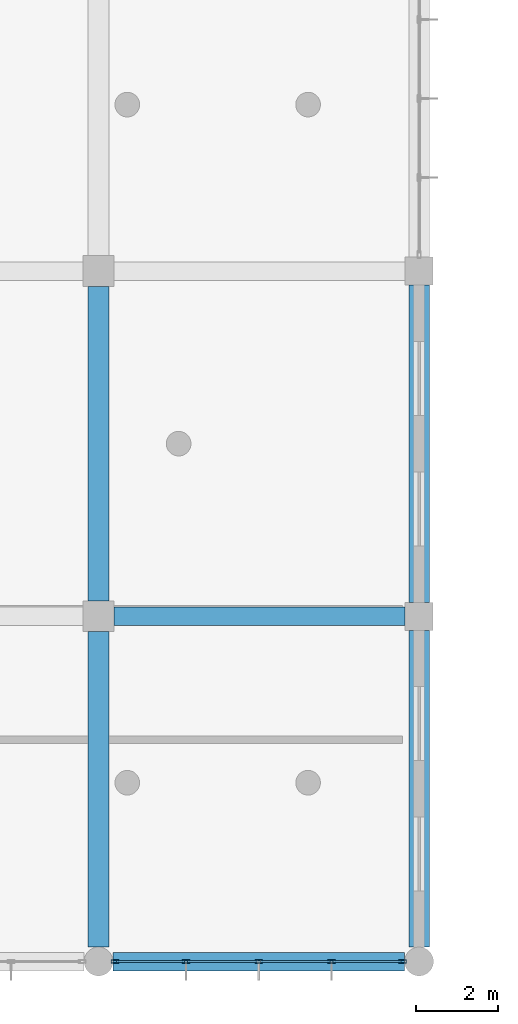
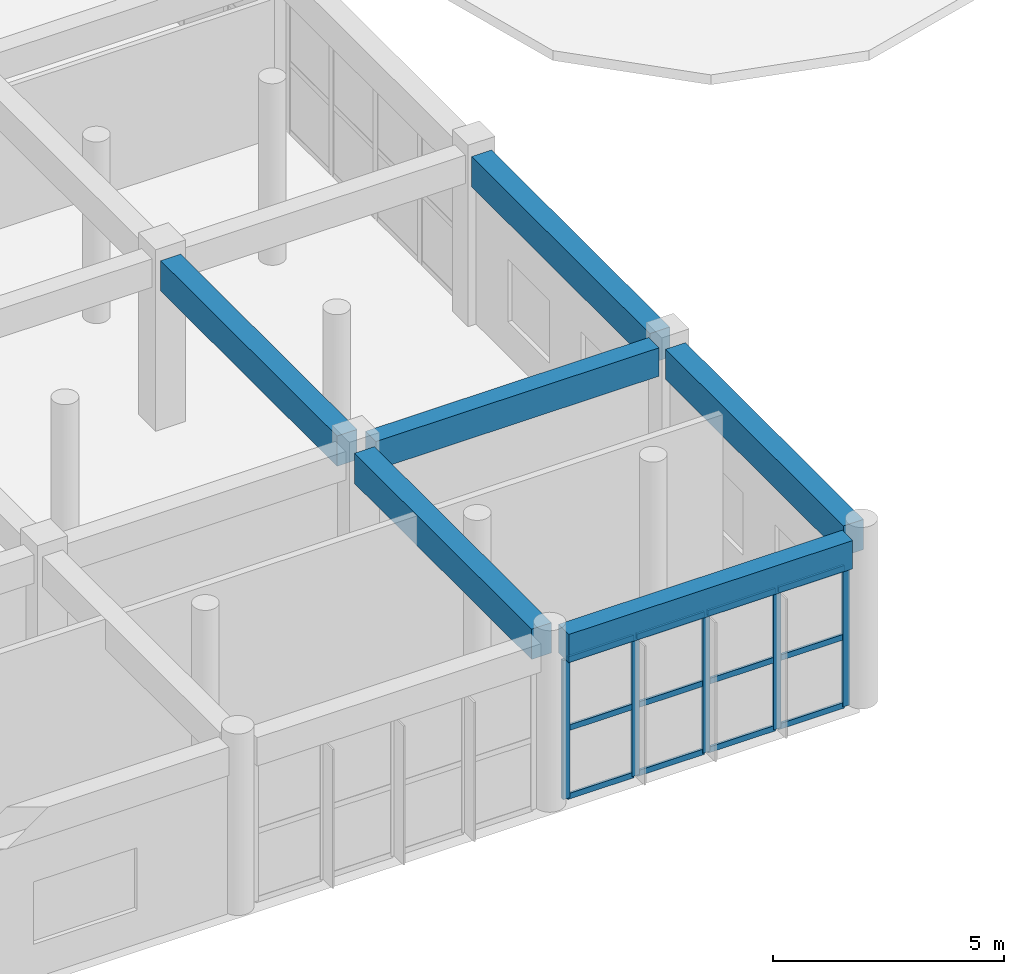
# One storey, part 87 of 175: 17 members, 6 beams, 1 element without a shape of its own.
"""IFC4 building model written with IfcOpenShell, lengths in metres."""

import ifcopenshell
import ifcopenshell.guid

model = None  # the IFC model being written
_history = None  # IfcOwnerHistory: only IFC2X3 demands one
_inside = {}  # id of a spatial element -> (the spatial element, [elements in it])
_under = {}  # id of a project, library or spatial element -> (it, [spatial elements below it])
_declared = {}  # id of a project -> (the project, [libraries it declares])
_typed = {}  # id of a type object -> (the type object, [elements of that type])
_made_of = {}  # id of a material, layer set ... -> (it, [elements and type objects made of it])


def new_model(schema):
    """Start an empty IFC model of exactly this schema.

    Asked for "IFC4X3", IfcOpenShell would pick the latest addendum, in which some entities
    have other attributes; the version numbers below select the first issue.
    IFC2X3 requires an IfcOwnerHistory on every rooted entity: one is made here for all.
    """
    global model, _history
    if schema == "IFC4X3":
        model = ifcopenshell.file(schema_version=(4, 3, 0, 0))
    else:
        model = ifcopenshell.file(schema=schema)
    _inside.clear()
    _under.clear()
    _declared.clear()
    _typed.clear()
    _made_of.clear()
    _history = None
    if model.schema == "IFC2X3":
        org = make("IfcOrganization", Name="unknown")
        user = make(
            "IfcPersonAndOrganization",
            ThePerson=make("IfcPerson", FamilyName="unknown"),
            TheOrganization=org,
        )
        app = make(
            "IfcApplication",
            ApplicationDeveloper=org,
            Version="unknown",
            ApplicationFullName="unknown",
            ApplicationIdentifier="unknown",
        )
        _history = make(
            "IfcOwnerHistory",
            OwningUser=user,
            OwningApplication=app,
            ChangeAction="ADDED",
            CreationDate=0,
        )
    return model


def make(cls, **values):
    """One entity of the class cls with the attributes given. An attribute that is None is left unset."""
    return model.create_entity(
        cls, **{name: value for name, value in values.items() if value is not None}
    )


def rooted(cls, **values):
    """An entity with a GlobalId (a new one), such as an element, a storey or a relation."""
    return make(cls, GlobalId=ifcopenshell.guid.new(), OwnerHistory=_history, **values)


def si_unit(unit_type, name, prefix=None):
    """IfcSIUnit, for example si_unit("LENGTHUNIT", "METRE", prefix="MILLI")."""
    return make("IfcSIUnit", UnitType=unit_type, Prefix=prefix, Name=name)


def assignment(units):
    """IfcUnitAssignment: the units of a project."""
    return None if units is None else make("IfcUnitAssignment", Units=units)


def point(xyz):
    """IfcCartesianPoint."""
    return None if xyz is None else make("IfcCartesianPoint", Coordinates=xyz)


def direction(xyz):
    """IfcDirection."""
    return None if xyz is None else make("IfcDirection", DirectionRatios=xyz)


def frame(location, z_axis=None, x_axis=None):
    """IfcAxis2Placement3D, a coordinate frame: its origin and axes. An axis left out is left unset."""
    return make(
        "IfcAxis2Placement3D",
        Location=point(location),
        Axis=direction(z_axis),
        RefDirection=direction(x_axis),
    )


def frame_2d(location, x_axis=None):
    """IfcAxis2Placement2D, a coordinate frame in the plane: its origin and x axis."""
    return make(
        "IfcAxis2Placement2D", Location=point(location), RefDirection=direction(x_axis)
    )


def origin():
    """The frame at (0, 0, 0) with its axes left unset."""
    return frame((0.0, 0.0, 0.0))


def origin_2d():
    """The frame at (0, 0) in the plane with its x axis left unset."""
    return frame_2d((0.0, 0.0))


def place(relative_to, where):
    """IfcLocalPlacement: puts the frame where relative to a parent placement (None: the world)."""
    return make(
        "IfcLocalPlacement", PlacementRelTo=relative_to, RelativePlacement=where
    )


def context(
    kind, dimensions, precision=None, world=None, true_north=None, identifier=None
):
    """IfcGeometricRepresentationContext, for example the 3D "Model" context."""
    return make(
        "IfcGeometricRepresentationContext",
        ContextIdentifier=identifier,
        ContextType=kind,
        CoordinateSpaceDimension=dimensions,
        Precision=precision,
        WorldCoordinateSystem=world,
        TrueNorth=true_north,
    )


def subcontext(parent, identifier, kind, view, scale=None):
    """IfcGeometricRepresentationSubContext, for example "Body" below "Model"."""
    return make(
        "IfcGeometricRepresentationSubContext",
        ContextIdentifier=identifier,
        ContextType=kind,
        ParentContext=parent,
        TargetScale=scale,
        TargetView=view,
    )


def project(units=None, contexts=None):
    """IfcProject with its units and contexts."""
    return rooted(
        "IfcProject",
        Name="project",
        RepresentationContexts=contexts,
        UnitsInContext=assignment(units),
    )


def spatial(cls, under=None, at=None, **own):
    """A site, building, storey or space (cls), placed at a placement, below another one or the project."""
    s = rooted(cls, ObjectPlacement=at, **own)
    if under is not None:
        _under.setdefault(under.id(), (under, []))[1].append(s)
    return s


def profile(cls, at=None, kind="AREA", **sizes):
    """A parametric profile (cls). Its sizes go by their IFC names, for example OverallWidth=200.0."""
    return make(cls, ProfileType=kind, Position=at, **sizes)


def rectangle(**sizes):
    """IfcRectangleProfileDef."""
    return profile("IfcRectangleProfileDef", **sizes)


def hollow_rectangle(**sizes):
    """IfcRectangleHollowProfileDef."""
    return profile("IfcRectangleHollowProfileDef", **sizes)


def extrude(swept, where, along, depth):
    """IfcExtrudedAreaSolid: the profile swept, set in the frame where, extruded along a direction by depth."""
    return make(
        "IfcExtrudedAreaSolid",
        SweptArea=swept,
        Position=where,
        ExtrudedDirection=direction(along),
        Depth=depth,
    )


def shape(context_of_items, identifier, shape_type, items):
    """IfcShapeRepresentation: the items that make up one representation, for example the "Body"."""
    return make(
        "IfcShapeRepresentation",
        ContextOfItems=context_of_items,
        RepresentationIdentifier=identifier,
        RepresentationType=shape_type,
        Items=items,
    )


def material(Name=None, Category=None):
    """IfcMaterial."""
    return make("IfcMaterial", Name=Name, Category=Category)


def layer(
    of_material, thickness, ventilated=None, Name=None, Category=None, Priority=None
):
    """IfcMaterialLayer: one layer of a wall or slab, of a material (None: an air gap)."""
    return make(
        "IfcMaterialLayer",
        Material=of_material,
        LayerThickness=thickness,
        IsVentilated=ventilated,
        Name=Name,
        Category=Category,
        Priority=Priority,
    )


def layer_set(layers, Name=None):
    """IfcMaterialLayerSet."""
    return make("IfcMaterialLayerSet", MaterialLayers=layers, LayerSetName=Name)


def material_profile(
    of_material, cross_section, Name=None, Category=None, Priority=None
):
    """IfcMaterialProfile: a cross section and its material."""
    return make(
        "IfcMaterialProfile",
        Name=Name,
        Material=of_material,
        Profile=cross_section,
        Priority=Priority,
        Category=Category,
    )


def profile_set(profiles, Name=None, composite=None):
    """IfcMaterialProfileSet."""
    return make(
        "IfcMaterialProfileSet",
        Name=Name,
        MaterialProfiles=profiles,
        CompositeProfile=composite,
    )


def made_of(thing, what):
    """Note that an element or type object is made of a material, layer set ...; save() writes the relation."""
    if what is not None:
        _made_of.setdefault(what.id(), (what, []))[1].append(thing)
    return thing


def type_object(cls, material=None, **own):
    """A type object (cls), such as IfcWallType, which elements share."""
    return made_of(rooted(cls, **own), material)


def element(
    cls,
    number,
    at=None,
    inside=None,
    cuts=None,
    type_object=None,
    material=None,
    context=None,
    identifier="Body",
    shape_type=None,
    held_by="IfcProductDefinitionShape",
    body=None,
    shapes=None,
    **own,
):
    """One element of the class cls, such as IfcWall. Its Tag is "e" and its number.

    at: its placement. inside: the storey or other place that contains it. cuts: it is an
    opening in that element (IfcRelVoidsElement). A single representation is given by context,
    identifier, shape_type and body (its items); several are given by shapes. held_by: the class
    of the entity that holds the representations. save() writes the other relations.
    """
    e = rooted(cls, Tag="e%d" % number, ObjectPlacement=at, **own)
    if body is not None:
        shapes = [shape(context, identifier, shape_type, body)]
    if shapes is not None:
        e.Representation = make(held_by, Representations=shapes)
    if inside is not None:
        _inside.setdefault(inside.id(), (inside, []))[1].append(e)
    if cuts is not None:
        rooted(
            "IfcRelVoidsElement", RelatingBuildingElement=cuts, RelatedOpeningElement=e
        )
    if type_object is not None:
        _typed.setdefault(type_object.id(), (type_object, []))[1].append(e)
    return made_of(e, material)


def aggregate(whole, parts):
    """IfcRelAggregates: a whole, such as a stair, and the parts it consists of."""
    return rooted("IfcRelAggregates", RelatingObject=whole, RelatedObjects=parts)


def save(model, path):
    """Write the relations noted so far, then the file.

    IfcRelAggregates (storeys below a building ...), IfcRelContainedInSpatialStructure (elements
    in a storey), IfcRelDefinesByType, IfcRelAssociatesMaterial and IfcRelDeclares: one each for
    every whole, place, type object, material and project.
    """
    for whole, parts in _under.values():
        aggregate(whole, parts)
    for where, things in _inside.values():
        rooted(
            "IfcRelContainedInSpatialStructure",
            RelatedElements=things,
            RelatingStructure=where,
        )
    for kind, things in _typed.values():
        rooted("IfcRelDefinesByType", RelatedObjects=things, RelatingType=kind)
    for what, things in _made_of.values():
        rooted("IfcRelAssociatesMaterial", RelatedObjects=things, RelatingMaterial=what)
    for by, libraries in _declared.values():
        rooted("IfcRelDeclares", RelatingContext=by, RelatedDefinitions=libraries)
    model.write(path)


model = new_model("IFC4")

# Units and contexts
model_context = context("Model", 3, precision=1e-05, world=origin(), true_north=direction((0.0, 1.0)))
body_context = subcontext(model_context, "Body", "Model", "MODEL_VIEW")
ifc_project = project(units=[si_unit("LENGTHUNIT", "METRE"), si_unit("AREAUNIT", "SQUARE_METRE"), si_unit("VOLUMEUNIT", "CUBIC_METRE"), si_unit("PLANEANGLEUNIT", "RADIAN"), si_unit("MASSUNIT", "GRAM", prefix="KILO")], contexts=[model_context])

# Site, building, storey
site_placement = place(None, origin())
site = spatial("IfcSite", under=ifc_project, at=site_placement, CompositionType="ELEMENT")
building_placement = place(site_placement, origin())
building = spatial("IfcBuilding", under=site, at=building_placement, Name="Zizhar Promenade General Hospital", CompositionType="ELEMENT")
storey_placement = place(building_placement, frame((0.0, 0.0, 4.800048828125)))
storey = spatial("IfcBuildingStorey", under=building, at=storey_placement, Name="L01", CompositionType="ELEMENT", Elevation=4.800048828125)

# Beams
ifc_material_1 = material(Name="Concrete C35/45", Category="concrete")
ifc_material_profile_1 = material_profile(ifc_material_1, rectangle(XDim=0.449951171875, YDim=0.75, at=origin_2d()))
ifc_profile_set_1 = profile_set([ifc_material_profile_1], Name="Concrete C35/45")
beam_type_1 = type_object("IfcBeamType", Name="BM-RC-450x750", PredefinedType="BEAM", material=ifc_profile_set_1)
beam_1_placement = place(storey_placement, frame((125.14990234375, 0.0, 4.094970703125), z_axis=(1.0, 0.0, 0.0), x_axis=(0.0, 1.0, 0.0)))
element("IfcBeam", 1, at=beam_1_placement, inside=storey, type_object=beam_type_1, Name="Grid Beam X L01 (16-0)", PredefinedType="BEAM", context=body_context, shape_type="SweptSolid", body=[
    extrude(rectangle(XDim=0.449951171875, YDim=0.75, at=origin_2d()), origin(), (0.0, 0.0, 1.0), 7.10009765625),
])
beam_2_placement = place(storey_placement, frame((125.175048828125, 8.39990234375, 4.094970703125), z_axis=(1.0, 0.0, 0.0), x_axis=(0.0, 1.0, 0.0)))
element("IfcBeam", 2, at=beam_2_placement, inside=storey, type_object=beam_type_1, Name="Grid Beam X L01 (16-1)", PredefinedType="BEAM", context=body_context, shape_type="SweptSolid", body=[
    extrude(rectangle(XDim=0.449951171875, YDim=0.75, at=origin_2d()), origin(), (0.0, 0.0, 1.0), 7.0849609375),
])
ifc_material_2 = material(Name="Concrete C35/45", Category="concrete")
ifc_material_profile_2 = material_profile(ifc_material_2, rectangle(XDim=0.5, YDim=0.800048828125, at=origin_2d()))
ifc_profile_set_2 = profile_set([ifc_material_profile_2], Name="Concrete C35/45")
beam_type_2 = type_object("IfcBeamType", Name="BM-RC-500x800", PredefinedType="BEAM", material=ifc_profile_set_2)
beam_3_placement = place(storey_placement, frame((124.800048828125, 0.35009765625, 4.070068359375), z_axis=(0.0, 1.0, 0.0), x_axis=(-1.0, 0.0, 0.0)))
element("IfcBeam", 3, at=beam_3_placement, inside=storey, type_object=beam_type_2, Name="Grid Beam Y L01 (16-0)", PredefinedType="BEAM", context=body_context, shape_type="SweptSolid", body=[
    extrude(rectangle(XDim=0.5, YDim=0.800048828125, at=origin_2d()), origin(), (0.0, 0.0, 1.0), 7.6748046875),
])
beam_4_placement = place(storey_placement, frame((124.800048828125, 8.77490234375, 4.070068359375), z_axis=(0.0, 1.0, 0.0), x_axis=(-1.0, 0.0, 0.0)))
element("IfcBeam", 4, at=beam_4_placement, inside=storey, type_object=beam_type_2, Name="Grid Beam Y L01 (16-1)", PredefinedType="BEAM", context=body_context, shape_type="SweptSolid", body=[
    extrude(rectangle(XDim=0.5, YDim=0.800048828125, at=origin_2d()), origin(), (0.0, 0.0, 1.0), 7.650146484375),
])
beam_5_placement = place(storey_placement, frame((132.60009765625, 0.35009765625, 4.070068359375), z_axis=(0.0, 1.0, 0.0), x_axis=(-1.0, 0.0, 0.0)))
element("IfcBeam", 5, at=beam_5_placement, inside=storey, type_object=beam_type_2, Name="Grid Beam Y L01 (17-0)", PredefinedType="BEAM", context=body_context, shape_type="SweptSolid", body=[
    extrude(rectangle(XDim=0.5, YDim=0.800048828125, at=origin_2d()), origin(), (0.0, 0.0, 1.0), 7.7099609375),
])
beam_6_placement = place(storey_placement, frame((132.60009765625, 8.739990234375, 4.070068359375), z_axis=(0.0, 1.0, 0.0), x_axis=(-1.0, 0.0, 0.0)))
element("IfcBeam", 6, at=beam_6_placement, inside=storey, type_object=beam_type_2, Name="Grid Beam Y L01 (17-1)", PredefinedType="BEAM", context=body_context, shape_type="SweptSolid", body=[
    extrude(rectangle(XDim=0.5, YDim=0.800048828125, at=origin_2d()), origin(), (0.0, 0.0, 1.0), 7.719970703125),
])

# Curtain wall, members
ifc_material_3 = material(Name="Anodised aluminium 6063-T6 and low-E glass", Category="aluminium")
ifc_layer = layer(ifc_material_3, 0.159912109375)
ifc_layer_set = layer_set([ifc_layer], Name="Anodised aluminium 6063-T6 and low-E glass")
curtain_wall_type = type_object("IfcCurtainWallType", Name="CW-DT-MOD1", PredefinedType="NOTDEFINED", material=ifc_layer_set)
curtain_wall_placement = place(storey_placement, origin())
curtain_wall = element("IfcCurtainWall", 7, at=curtain_wall_placement, inside=storey, type_object=curtain_wall_type, Name="Riverfront Clinical Curtain Wall L01-15", PredefinedType="NOTDEFINED")
ifc_material_4 = material(Name="Anodised aluminium 6063-T6", Category="aluminium")
ifc_material_profile_3 = material_profile(ifc_material_4, hollow_rectangle(XDim=0.080078125, YDim=0.179931640625, WallThickness=0.0048828125, at=origin_2d()))
ifc_profile_set_3 = profile_set([ifc_material_profile_3], Name="Anodised aluminium 6063-T6")
member_type_1 = type_object("IfcMemberType", Name="CWM-ALU-180x80", PredefinedType="MULLION", material=ifc_profile_set_3)
member_1_placement = place(storey_placement, frame((132.199951171875, 0.0, 0.0), z_axis=(0.0, 0.0, 1.0), x_axis=(0.0, -1.0, 0.0)))
member_1 = element("IfcMember", 8, at=member_1_placement, type_object=member_type_1, Name="CW-07 mullion 1", PredefinedType="MULLION", context=body_context, shape_type="SweptSolid", body=[
    extrude(hollow_rectangle(XDim=0.080078125, YDim=0.179931640625, WallThickness=0.0048828125, at=origin_2d()), origin(), (0.0, 0.0, 1.0), 3.679931640625),
])
member_2_placement = place(storey_placement, frame((130.469970703125, 0.0, 0.0), z_axis=(0.0, 0.0, 1.0), x_axis=(0.0, -1.0, 0.0)))
member_2 = element("IfcMember", 9, at=member_2_placement, type_object=member_type_1, Name="CW-07 mullion 2", PredefinedType="MULLION", context=body_context, shape_type="SweptSolid", body=[
    extrude(hollow_rectangle(XDim=0.080078125, YDim=0.179931640625, WallThickness=0.0048828125, at=origin_2d()), origin(), (0.0, 0.0, 1.0), 3.679931640625),
])
member_3_placement = place(storey_placement, frame((128.699951171875, 0.0, 0.0), z_axis=(0.0, 0.0, 1.0), x_axis=(0.0, -1.0, 0.0)))
member_3 = element("IfcMember", 10, at=member_3_placement, type_object=member_type_1, Name="CW-07 mullion 3", PredefinedType="MULLION", context=body_context, shape_type="SweptSolid", body=[
    extrude(hollow_rectangle(XDim=0.080078125, YDim=0.179931640625, WallThickness=0.0048828125, at=origin_2d()), origin(), (0.0, 0.0, 1.0), 3.679931640625),
])
member_4_placement = place(storey_placement, frame((126.929931640625, 0.0, 0.0), z_axis=(0.0, 0.0, 1.0), x_axis=(0.0, -1.0, 0.0)))
member_4 = element("IfcMember", 11, at=member_4_placement, type_object=member_type_1, Name="CW-07 mullion 4", PredefinedType="MULLION", context=body_context, shape_type="SweptSolid", body=[
    extrude(hollow_rectangle(XDim=0.080078125, YDim=0.179931640625, WallThickness=0.0048828125, at=origin_2d()), origin(), (0.0, 0.0, 1.0), 3.679931640625),
])
member_5_placement = place(storey_placement, frame((125.199951171875, 0.0, 0.0), z_axis=(0.0, 0.0, 1.0), x_axis=(0.0, -1.0, 0.0)))
member_5 = element("IfcMember", 12, at=member_5_placement, type_object=member_type_1, Name="CW-07 mullion 5", PredefinedType="MULLION", context=body_context, shape_type="SweptSolid", body=[
    extrude(hollow_rectangle(XDim=0.080078125, YDim=0.179931640625, WallThickness=0.0048828125, at=origin_2d()), origin(), (0.0, 0.0, 1.0), 3.679931640625),
])
ifc_material_5 = material(Name="Anodised aluminium 6063-T6", Category="aluminium")
ifc_material_profile_4 = material_profile(ifc_material_5, hollow_rectangle(XDim=0.06005859375, YDim=0.14990234375, WallThickness=0.00390625, at=origin_2d()))
ifc_profile_set_4 = profile_set([ifc_material_profile_4], Name="Anodised aluminium 6063-T6")
member_type_2 = type_object("IfcMemberType", Name="CWT-ALU-150x60", PredefinedType="USERDEFINED", material=ifc_profile_set_4)
member_6_placement = place(storey_placement, frame((132.159912109375, 0.0, 0.030029296875), z_axis=(-1.0, 0.0, 0.0), x_axis=(0.0, -1.0, 0.0)))
member_6 = element("IfcMember", 13, at=member_6_placement, type_object=member_type_2, Name="CW-07 transom 1.1", ObjectType="TRANSOM", PredefinedType="USERDEFINED", context=body_context, shape_type="SweptSolid", body=[
    extrude(hollow_rectangle(XDim=0.06005859375, YDim=0.14990234375, WallThickness=0.00390625, at=origin_2d()), origin(), (0.0, 0.0, 1.0), 1.64990234375),
])
member_7_placement = place(storey_placement, frame((132.159912109375, 0.0, 1.83984375), z_axis=(-1.0, 0.0, 0.0), x_axis=(0.0, -1.0, 0.0)))
member_7 = element("IfcMember", 14, at=member_7_placement, type_object=member_type_2, Name="CW-07 transom 1.2", ObjectType="TRANSOM", PredefinedType="USERDEFINED", context=body_context, shape_type="SweptSolid", body=[
    extrude(hollow_rectangle(XDim=0.06005859375, YDim=0.14990234375, WallThickness=0.00390625, at=origin_2d()), origin(), (0.0, 0.0, 1.0), 1.64990234375),
])
member_8_placement = place(storey_placement, frame((132.159912109375, 0.0, 3.64990234375), z_axis=(-1.0, 0.0, 0.0), x_axis=(0.0, -1.0, 0.0)))
member_8 = element("IfcMember", 15, at=member_8_placement, type_object=member_type_2, Name="CW-07 transom 1.3", ObjectType="TRANSOM", PredefinedType="USERDEFINED", context=body_context, shape_type="SweptSolid", body=[
    extrude(hollow_rectangle(XDim=0.06005859375, YDim=0.14990234375, WallThickness=0.00390625, at=origin_2d()), origin(), (0.0, 0.0, 1.0), 1.64990234375),
])
member_9_placement = place(storey_placement, frame((130.429931640625, 0.0, 0.030029296875), z_axis=(-1.0, 0.0, 0.0), x_axis=(0.0, -1.0, 0.0)))
member_9 = element("IfcMember", 16, at=member_9_placement, type_object=member_type_2, Name="CW-07 transom 2.1", ObjectType="TRANSOM", PredefinedType="USERDEFINED", context=body_context, shape_type="SweptSolid", body=[
    extrude(hollow_rectangle(XDim=0.06005859375, YDim=0.14990234375, WallThickness=0.00390625, at=origin_2d()), origin(), (0.0, 0.0, 1.0), 1.68994140625),
])
member_10_placement = place(storey_placement, frame((130.429931640625, 0.0, 1.83984375), z_axis=(-1.0, 0.0, 0.0), x_axis=(0.0, -1.0, 0.0)))
member_10 = element("IfcMember", 17, at=member_10_placement, type_object=member_type_2, Name="CW-07 transom 2.2", ObjectType="TRANSOM", PredefinedType="USERDEFINED", context=body_context, shape_type="SweptSolid", body=[
    extrude(hollow_rectangle(XDim=0.06005859375, YDim=0.14990234375, WallThickness=0.00390625, at=origin_2d()), origin(), (0.0, 0.0, 1.0), 1.68994140625),
])
member_11_placement = place(storey_placement, frame((130.429931640625, 0.0, 3.64990234375), z_axis=(-1.0, 0.0, 0.0), x_axis=(0.0, -1.0, 0.0)))
member_11 = element("IfcMember", 18, at=member_11_placement, type_object=member_type_2, Name="CW-07 transom 2.3", ObjectType="TRANSOM", PredefinedType="USERDEFINED", context=body_context, shape_type="SweptSolid", body=[
    extrude(hollow_rectangle(XDim=0.06005859375, YDim=0.14990234375, WallThickness=0.00390625, at=origin_2d()), origin(), (0.0, 0.0, 1.0), 1.68994140625),
])
member_12_placement = place(storey_placement, frame((128.659912109375, 0.0, 0.030029296875), z_axis=(-1.0, 0.0, 0.0), x_axis=(0.0, -1.0, 0.0)))
member_12 = element("IfcMember", 19, at=member_12_placement, type_object=member_type_2, Name="CW-07 transom 3.1", ObjectType="TRANSOM", PredefinedType="USERDEFINED", context=body_context, shape_type="SweptSolid", body=[
    extrude(hollow_rectangle(XDim=0.06005859375, YDim=0.14990234375, WallThickness=0.00390625, at=origin_2d()), origin(), (0.0, 0.0, 1.0), 1.68994140625),
])
member_13_placement = place(storey_placement, frame((128.659912109375, 0.0, 1.83984375), z_axis=(-1.0, 0.0, 0.0), x_axis=(0.0, -1.0, 0.0)))
member_13 = element("IfcMember", 20, at=member_13_placement, type_object=member_type_2, Name="CW-07 transom 3.2", ObjectType="TRANSOM", PredefinedType="USERDEFINED", context=body_context, shape_type="SweptSolid", body=[
    extrude(hollow_rectangle(XDim=0.06005859375, YDim=0.14990234375, WallThickness=0.00390625, at=origin_2d()), origin(), (0.0, 0.0, 1.0), 1.68994140625),
])
member_14_placement = place(storey_placement, frame((128.659912109375, 0.0, 3.64990234375), z_axis=(-1.0, 0.0, 0.0), x_axis=(0.0, -1.0, 0.0)))
member_14 = element("IfcMember", 21, at=member_14_placement, type_object=member_type_2, Name="CW-07 transom 3.3", ObjectType="TRANSOM", PredefinedType="USERDEFINED", context=body_context, shape_type="SweptSolid", body=[
    extrude(hollow_rectangle(XDim=0.06005859375, YDim=0.14990234375, WallThickness=0.00390625, at=origin_2d()), origin(), (0.0, 0.0, 1.0), 1.68994140625),
])
member_15_placement = place(storey_placement, frame((126.889892578125, 0.0, 0.030029296875), z_axis=(-1.0, 0.0, 0.0), x_axis=(0.0, -1.0, 0.0)))
member_15 = element("IfcMember", 22, at=member_15_placement, type_object=member_type_2, Name="CW-07 transom 4.1", ObjectType="TRANSOM", PredefinedType="USERDEFINED", context=body_context, shape_type="SweptSolid", body=[
    extrude(hollow_rectangle(XDim=0.06005859375, YDim=0.14990234375, WallThickness=0.00390625, at=origin_2d()), origin(), (0.0, 0.0, 1.0), 1.64990234375),
])
member_16_placement = place(storey_placement, frame((126.889892578125, 0.0, 1.83984375), z_axis=(-1.0, 0.0, 0.0), x_axis=(0.0, -1.0, 0.0)))
member_16 = element("IfcMember", 23, at=member_16_placement, type_object=member_type_2, Name="CW-07 transom 4.2", ObjectType="TRANSOM", PredefinedType="USERDEFINED", context=body_context, shape_type="SweptSolid", body=[
    extrude(hollow_rectangle(XDim=0.06005859375, YDim=0.14990234375, WallThickness=0.00390625, at=origin_2d()), origin(), (0.0, 0.0, 1.0), 1.64990234375),
])
member_17_placement = place(storey_placement, frame((126.889892578125, 0.0, 3.64990234375), z_axis=(-1.0, 0.0, 0.0), x_axis=(0.0, -1.0, 0.0)))
member_17 = element("IfcMember", 24, at=member_17_placement, type_object=member_type_2, Name="CW-07 transom 4.3", ObjectType="TRANSOM", PredefinedType="USERDEFINED", context=body_context, shape_type="SweptSolid", body=[
    extrude(hollow_rectangle(XDim=0.06005859375, YDim=0.14990234375, WallThickness=0.00390625, at=origin_2d()), origin(), (0.0, 0.0, 1.0), 1.64990234375),
])
aggregate(curtain_wall, [member_1, member_2, member_3, member_4, member_5, member_6, member_7, member_8, member_9, member_10, member_11, member_12, member_13, member_14, member_15, member_16, member_17])

save(model, "model.ifc")
